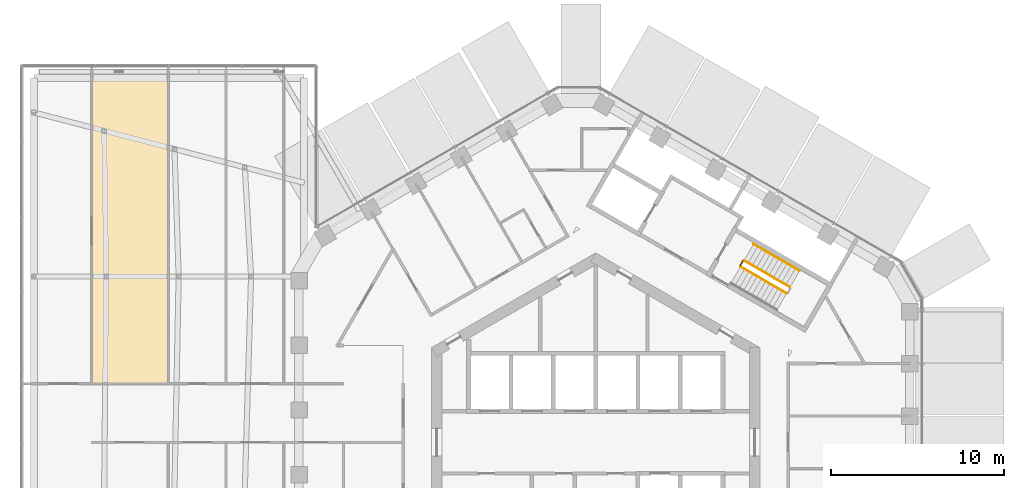
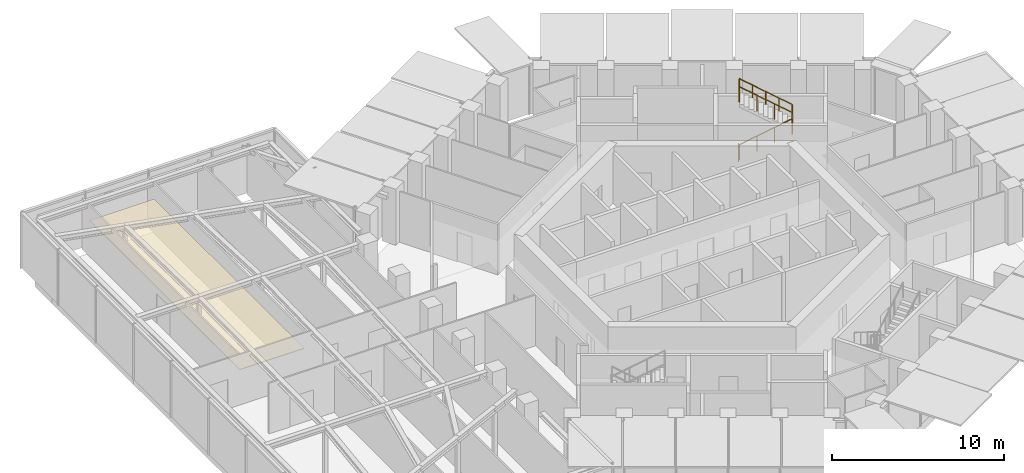
# One storey, part 24 of 24: 5 railings, 1 covering.
"""IFC4 building model written with IfcOpenShell, lengths in metres."""

from ifc_helpers import new_model, si_unit, direction, frame, origin, origin_2d, place, context, subcontext, project, spatial, polyline, circle, outline, extrude, material, layer, layer_set, type_object, element, save


model = new_model("IFC4")

# Units and contexts
model_context = context("Model", 3, precision=1e-05, world=origin(), true_north=direction((0.0, 1.0)))
body_context = subcontext(model_context, "Body", "Model", "MODEL_VIEW")
ifc_project = project(units=[si_unit("LENGTHUNIT", "METRE"), si_unit("AREAUNIT", "SQUARE_METRE"), si_unit("VOLUMEUNIT", "CUBIC_METRE"), si_unit("PLANEANGLEUNIT", "RADIAN"), si_unit("MASSUNIT", "GRAM", prefix="KILO")], contexts=[model_context])

# Site, building, storey
site_placement = place(None, origin())
site = spatial("IfcSite", under=ifc_project, at=site_placement, CompositionType="ELEMENT")
building_placement = place(site_placement, origin())
building = spatial("IfcBuilding", under=site, at=building_placement, Name="Ayvan Gate Tower", CompositionType="ELEMENT")
storey_placement = place(building_placement, frame((0.0, 0.0, 210.10009765625)))
storey = spatial("IfcBuildingStorey", under=building, at=storey_placement, Name="L56", CompositionType="ELEMENT", Elevation=210.10009765625)

# Covering
ifc_material_1 = material(Name="Plasterboard suspended ceiling")
ifc_layer = layer(ifc_material_1, 0.050048828125)
ifc_layer_set = layer_set([ifc_layer], Name="Plasterboard suspended ceiling")
covering_type = type_object("IfcCoveringType", Name="CT-SUSP-50", PredefinedType="CEILING", material=ifc_layer_set)
covering_placement = place(storey_placement, frame((0.0, 0.0, 2.39990234375)))
element("IfcCovering", 1, at=covering_placement, inside=storey, type_object=covering_type, Name="Ceiling Library 1 L56", PredefinedType="CEILING", context=body_context, shape_type="SweptSolid", body=[
    extrude(outline(polyline([(-29.124267578125, 20.949951171875), (-24.7880859375, 20.949951171875), (-24.7880859375, 3.4462890625), (-29.124267578125, 3.4462890625), (-29.124267578125, 20.949951171875)])), origin(), (0.0, 0.0, 1.0), 0.050048828125),
])

# Railings
ifc_material_2 = material(Name="Stainless steel balustrade", Category="steel")
railing_type_1 = type_object("IfcRailingType", Name="RL-GUARD-1100", PredefinedType="GUARDRAIL", material=ifc_material_2)
railing_1_placement = place(storey_placement, frame((8.381103515625, 10.16650390625, 0.16650390625)))
element("IfcRailing", 2, at=railing_1_placement, inside=storey, type_object=railing_type_1, Name="L56 STS1 stair guard 1", PredefinedType="GUARDRAIL", context=body_context, shape_type="SweptSolid", body=[
    extrude(circle(Radius=0.02392578125, at=origin_2d()), frame((0.0, 0.0, 1.076171875), z_axis=(0.7441639146, -0.429634447492, 0.511502013422), x_axis=(0.499992328818, 0.866029832698, 0.0)), (0.0, 0.0, 1.0), 3.58447265625),
    extrude(circle(Radius=0.02099609375, at=origin_2d()), origin(), (0.0, 0.0, 1.0), 1.052001953125),
    extrude(circle(Radius=0.02099609375, at=origin_2d()), frame((0.88916015625, -0.513427734375, 0.611083984375)), (0.0, 0.0, 1.0), 1.052001953125),
    extrude(circle(Radius=0.02099609375, at=origin_2d()), frame((1.7783203125, -1.026611328125, 1.222412109375)), (0.0, 0.0, 1.0), 1.052001953125),
    extrude(circle(Radius=0.02099609375, at=origin_2d()), frame((2.66748046875, -1.5400390625, 1.83349609375)), (0.0, 0.0, 1.0), 1.052001953125),
])
railing_2_placement = place(storey_placement, frame((11.25341796875, 8.981689453125, 2.16650390625)))
element("IfcRailing", 3, at=railing_2_placement, inside=storey, type_object=railing_type_1, Name="L56 STS1 stair guard 3", PredefinedType="GUARDRAIL", context=body_context, shape_type="SweptSolid", body=[
    extrude(circle(Radius=0.02392578125, at=origin_2d()), frame((0.0, 0.0, 1.076171875), z_axis=(-0.744155296881, 0.429600682602, 0.511542908886), x_axis=(-0.499967199496, -0.866044340336, 0.0)), (0.0, 0.0, 1.0), 3.584228515625),
    extrude(circle(Radius=0.02099609375, at=origin_2d()), origin(), (0.0, 0.0, 1.0), 1.052001953125),
    extrude(circle(Radius=0.02099609375, at=origin_2d()), frame((-0.88916015625, 0.51318359375, 0.611083984375)), (0.0, 0.0, 1.0), 1.052001953125),
    extrude(circle(Radius=0.02099609375, at=origin_2d()), frame((-1.778076171875, 1.026611328125, 1.222412109375)), (0.0, 0.0, 1.0), 1.052001953125),
    extrude(circle(Radius=0.02099609375, at=origin_2d()), frame((-2.667236328125, 1.539794921875, 1.83349609375)), (0.0, 0.0, 1.0), 1.052001953125),
])
railing_3_placement = place(storey_placement, frame((8.36279296875, 10.23486328125, 0.0)))
element("IfcRailing", 4, at=railing_3_placement, inside=storey, type_object=railing_type_1, Name="L56 STS1 stair guard 4", PredefinedType="GUARDRAIL", context=body_context, shape_type="SweptSolid", body=[
    extrude(circle(Radius=0.02392578125, at=origin_2d()), frame((0.0, 0.0, 1.076171875), z_axis=(0.500290723946, 0.86585748916, 0.0), x_axis=(-0.86585748916, 0.500290723946, 0.0)), (0.0, 0.0, 1.0), 0.309814453125),
    extrude(circle(Radius=0.02099609375, at=origin_2d()), origin(), (0.0, 0.0, 1.0), 1.052001953125),
    extrude(circle(Radius=0.02099609375, at=origin_2d()), frame((0.155029296875, 0.268310546875, 0.0)), (0.0, 0.0, 1.0), 1.052001953125),
])
railing_type_2 = type_object("IfcRailingType", Name="RL-HANDRAIL-900", PredefinedType="HANDRAIL", material=ifc_material_2)
for number, where, name in (
    (5, (11.803466796875, 9.93408203125, 2.16650390625), "L56 STS1 stair handrail 3"),
    (6, (10.4697265625, 10.7041015625, 3.083251953125), "L56 STS1 stair handrail 4"),
):
    element("IfcRailing", number, at=place(storey_placement, frame(where)), inside=storey, type_object=railing_type_2, Name=name, PredefinedType="HANDRAIL", context=body_context, shape_type="SweptSolid", body=[
        extrude(circle(Radius=0.02392578125, at=origin_2d()), frame((0.0, 0.0, 0.8759765625), z_axis=(-0.7441639146, 0.429634447492, 0.511502013422), x_axis=(-0.499992328818, -0.866029832698, 0.0)), (0.0, 0.0, 1.0), 1.792236328125),
        extrude(circle(Radius=0.02099609375, at=origin_2d()), origin(), (0.0, 0.0, 1.0), 0.851806640625),
        extrude(circle(Radius=0.02099609375, at=origin_2d()), frame((-0.6669921875, 0.385009765625, 0.45849609375)), (0.0, 0.0, 1.0), 0.851806640625),
        extrude(circle(Radius=0.02099609375, at=origin_2d()), frame((-1.333740234375, 0.77001953125, 0.916748046875)), (0.0, 0.0, 1.0), 0.851806640625),
    ])

save(model, "model.ifc")
